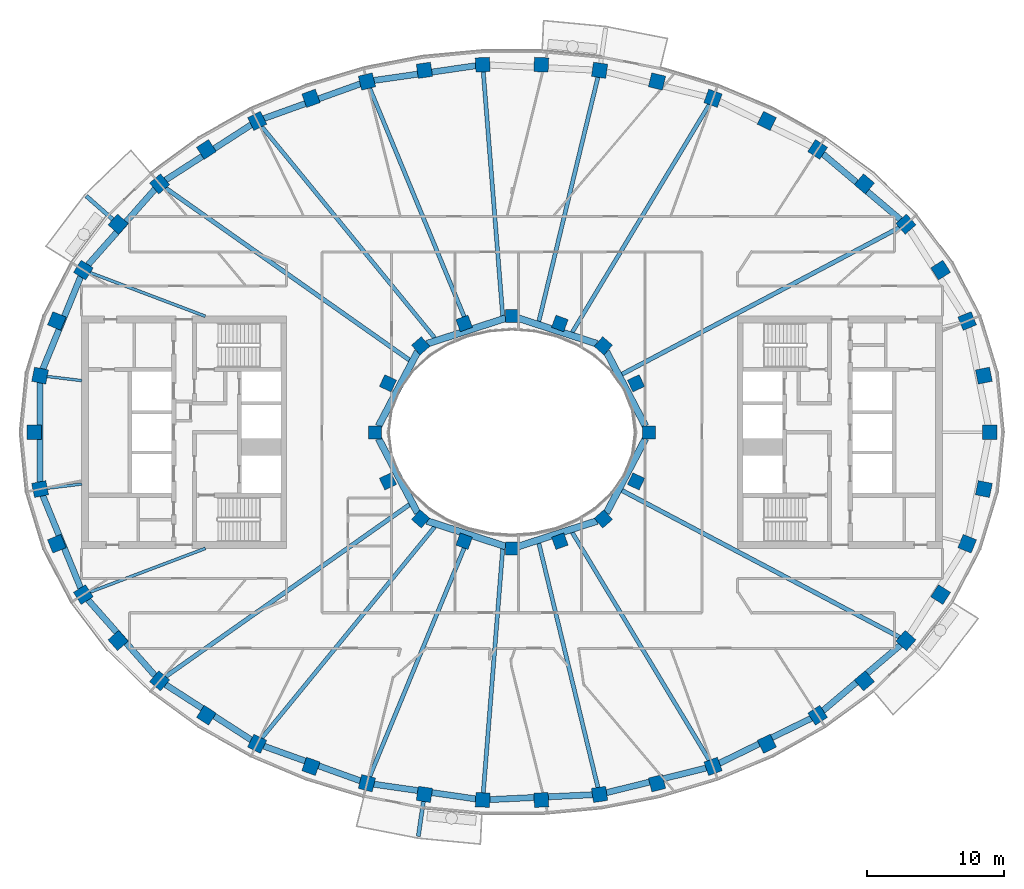
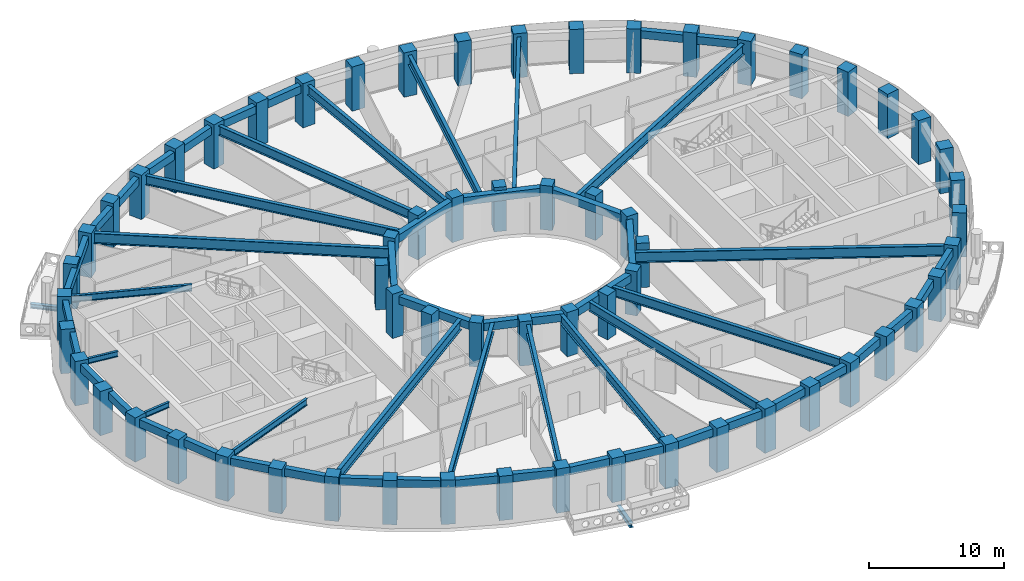
# One storey, part 1 of 16: 62 columns, 44 beams.
"""IFC4 building model written with IfcOpenShell, lengths in metres."""

from ifc_helpers import new_model, si_unit, direction, frame, origin, origin_2d, place, context, subcontext, project, spatial, rectangle, i_section, extrude, material, material_profile, profile_set, type_object, element, save


model = new_model("IFC4")

# Units and contexts
model_context = context("Model", 3, precision=1e-05, world=origin(), true_north=direction((0.0, 1.0)))
body_context = subcontext(model_context, "Body", "Model", "MODEL_VIEW")
ifc_project = project(units=[si_unit("LENGTHUNIT", "METRE"), si_unit("AREAUNIT", "SQUARE_METRE"), si_unit("VOLUMEUNIT", "CUBIC_METRE"), si_unit("PLANEANGLEUNIT", "RADIAN"), si_unit("MASSUNIT", "GRAM", prefix="KILO")], contexts=[model_context])

# Site, building, storey
site_placement = place(None, origin())
site = spatial("IfcSite", under=ifc_project, at=site_placement, CompositionType="ELEMENT")
building_placement = place(site_placement, origin())
building = spatial("IfcBuilding", under=site, at=building_placement, Name="Noorbagh Ring Tower", CompositionType="ELEMENT")
storey_placement = place(building_placement, frame((0.0, 0.0, 273.5)))
storey = spatial("IfcBuildingStorey", under=building, at=storey_placement, Name="L58", CompositionType="ELEMENT", Elevation=273.5)

# Columns
ifc_material_1 = material(Name="Concrete C50/60", Category="concrete")
ifc_material_profile_1 = material_profile(ifc_material_1, rectangle(XDim=1.050048828125, YDim=1.050048828125, at=origin_2d()), Name="RC1050x1050")
ifc_profile_set_1 = profile_set([ifc_material_profile_1], Name="Concrete C50/60")
column_type_1 = type_object("IfcColumnType", Name="STR-COL-RC1050x1050-C50-60", PredefinedType="COLUMN", material=ifc_profile_set_1)
for number, where, z_axis, x_axis, name in (
    (1, (34.944580078125, 0.0, 0.0), (0.0, 0.0, 1.0), (0.0, 1.0, 0.0), "L58/col/R1-01"),
    (2, (34.52685546875, 4.150634765625, 0.0), (0.0, 0.0, 1.0), (-0.19723040178, 0.9803571638, 0.0), "L58/col/R1-02"),
    (3, (33.30517578125, 8.1494140625, 0.0), (0.0, 0.0, 1.0), (-0.378989499959, 0.925400971969, 0.0), "L58/col/R1-03"),
    (4, (31.364990234375, 11.87109375, 0.0), (0.0, 0.0, 1.0), (-0.535190403059, 0.844731455833, 0.0), "L58/col/R1-04"),
    (5, (28.81884765625, 15.23046875, 0.0), (0.0, 0.0, 1.0), (-0.662635642662, 0.748941923699, 0.0), "L58/col/R1-05"),
    (6, (25.78271484375, 18.180419921875, 0.0), (0.0, 0.0, 1.0), (-0.763035199656, 0.646356932419, 0.0), "L58/col/R1-06"),
    (7, (22.362060546875, 20.699951171875, 0.0), (0.0, 0.0, 1.0), (-0.840247639643, 0.542202825586, 0.0), "L58/col/R1-07"),
    (8, (18.646240234375, 22.785400390625, 0.0), (0.0, 0.0, 1.0), (-0.898399080868, 0.439180021741, 0.0), "L58/col/R1-08"),
    (9, (14.70947265625, 24.44091796875, 0.0), (0.0, 0.0, 1.0), (-0.941024726094, 0.338337797003, 0.0), "L58/col/R1-09"),
    (10, (10.61328125, 25.673583984375, 0.0), (0.0, 0.0, 1.0), (-0.970829360981, 0.239771457553, 0.0), "L58/col/R1-10"),
    (11, (6.4091796875, 26.49072265625, 0.0), (0.0, 0.0, 1.0), (-0.989713114048, 0.143066249975, 0.0), "L58/col/R1-11"),
    (12, (2.14306640625, 26.89794921875, 0.0), (0.0, 0.0, 1.0), (-0.998868731212, 0.047552684538, 0.0), "L58/col/R1-12"),
    (13, (-2.14306640625, 26.89794921875, 0.0), (0.0, 0.0, 1.0), (-0.998868731212, -0.047552684538, 0.0), "L58/col/R1-13"),
    (14, (-6.4091796875, 26.49072265625, 0.0), (0.0, 0.0, 1.0), (-0.989713114048, -0.143066249975, 0.0), "L58/col/R1-14"),
    (15, (-10.61328125, 25.673583984375, 0.0), (0.0, 0.0, 1.0), (-0.970829360981, -0.239771457553, 0.0), "L58/col/R1-15"),
    (16, (-14.70947265625, 24.44091796875, 0.0), (0.0, 0.0, 1.0), (-0.941024726094, -0.338337797003, 0.0), "L58/col/R1-16"),
    (17, (-18.646240234375, 22.785400390625, 0.0), (0.0, 0.0, 1.0), (-0.898399080868, -0.439180021741, 0.0), "L58/col/R1-17"),
    (18, (-22.362060546875, 20.699951171875, 0.0), (0.0, 0.0, 1.0), (-0.840247639643, -0.542202825586, 0.0), "L58/col/R1-18"),
    (19, (-25.78271484375, 18.180419921875, 0.0), (0.0, 0.0, 1.0), (-0.763035199656, -0.646356932419, 0.0), "L58/col/R1-19"),
    (20, (-28.81884765625, 15.23046875, 0.0), (0.0, 0.0, 1.0), (-0.662635642662, -0.748941923699, 0.0), "L58/col/R1-20"),
    (21, (-31.364990234375, 11.87109375, 0.0), (0.0, 0.0, 1.0), (-0.535190403059, -0.844731455833, 0.0), "L58/col/R1-21"),
    (22, (-33.30517578125, 8.1494140625, 0.0), (0.0, 0.0, 1.0), (-0.378989499959, -0.925400971969, 0.0), "L58/col/R1-22"),
    (23, (-34.52685546875, 4.150634765625, 0.0), (0.0, 0.0, 1.0), (-0.19723040178, -0.9803571638, 0.0), "L58/col/R1-23"),
    (24, (-34.944580078125, 0.0, 0.0), (0.0, 0.0, 1.0), (0.0, -1.0, 0.0), "L58/col/R1-24"),
    (25, (-34.52685546875, -4.150634765625, 0.0), (0.0, 0.0, 1.0), (0.19723040178, -0.9803571638, 0.0), "L58/col/R1-25"),
    (26, (-33.30517578125, -8.1494140625, 0.0), (0.0, 0.0, 1.0), (0.378989499959, -0.925400971969, 0.0), "L58/col/R1-26"),
    (27, (-31.364990234375, -11.87109375, 0.0), (0.0, 0.0, 1.0), (0.535190403059, -0.844731455833, 0.0), "L58/col/R1-27"),
    (28, (-28.81884765625, -15.23046875, 0.0), (0.0, 0.0, 1.0), (0.662635642662, -0.748941923699, 0.0), "L58/col/R1-28"),
    (29, (-25.78271484375, -18.180419921875, 0.0), (0.0, 0.0, 1.0), (0.763035199656, -0.646356932419, 0.0), "L58/col/R1-29"),
    (30, (-22.362060546875, -20.699951171875, 0.0), (0.0, 0.0, 1.0), (0.840247639643, -0.542202825586, 0.0), "L58/col/R1-30"),
    (31, (-18.646240234375, -22.785400390625, 0.0), (0.0, 0.0, 1.0), (0.898399080868, -0.439180021741, 0.0), "L58/col/R1-31"),
    (32, (-14.70947265625, -24.44091796875, 0.0), (0.0, 0.0, 1.0), (0.941024726094, -0.338337797003, 0.0), "L58/col/R1-32"),
    (33, (-10.61328125, -25.673583984375, 0.0), (0.0, 0.0, 1.0), (0.970829360981, -0.239771457553, 0.0), "L58/col/R1-33"),
    (34, (-6.4091796875, -26.49072265625, 0.0), (0.0, 0.0, 1.0), (0.989713114048, -0.143066249975, 0.0), "L58/col/R1-34"),
    (35, (-2.14306640625, -26.89794921875, 0.0), (0.0, 0.0, 1.0), (0.998868731212, -0.047552684538, 0.0), "L58/col/R1-35"),
    (36, (2.14306640625, -26.89794921875, 0.0), (0.0, 0.0, 1.0), (0.998868731212, 0.047552684538, 0.0), "L58/col/R1-36"),
    (37, (6.4091796875, -26.49072265625, 0.0), (0.0, 0.0, 1.0), (0.989713114048, 0.143066249975, 0.0), "L58/col/R1-37"),
    (38, (10.61328125, -25.673583984375, 0.0), (0.0, 0.0, 1.0), (0.970829360981, 0.239771457553, 0.0), "L58/col/R1-38"),
    (39, (14.70947265625, -24.44091796875, 0.0), (0.0, 0.0, 1.0), (0.941024726094, 0.338337797003, 0.0), "L58/col/R1-39"),
    (40, (18.646240234375, -22.785400390625, 0.0), (0.0, 0.0, 1.0), (0.898399080868, 0.439180021741, 0.0), "L58/col/R1-40"),
    (41, (22.362060546875, -20.699951171875, 0.0), (0.0, 0.0, 1.0), (0.840247639643, 0.542202825586, 0.0), "L58/col/R1-41"),
    (42, (25.78271484375, -18.180419921875, 0.0), (0.0, 0.0, 1.0), (0.763035199656, 0.646356932419, 0.0), "L58/col/R1-42"),
    (43, (28.81884765625, -15.23046875, 0.0), (0.0, 0.0, 1.0), (0.662635642662, 0.748941923699, 0.0), "L58/col/R1-43"),
    (44, (31.364990234375, -11.87109375, 0.0), (0.0, 0.0, 1.0), (0.535190403059, 0.844731455833, 0.0), "L58/col/R1-44"),
    (45, (33.30517578125, -8.1494140625, 0.0), (0.0, 0.0, 1.0), (0.378989499959, 0.925400971969, 0.0), "L58/col/R1-45"),
    (46, (34.52685546875, -4.150634765625, 0.0), (0.0, 0.0, 1.0), (0.19723040178, 0.9803571638, 0.0), "L58/col/R1-46"),
):
    element("IfcColumn", number, at=place(storey_placement, frame(where, z_axis=z_axis, x_axis=x_axis)), inside=storey, type_object=column_type_1, Name=name, PredefinedType="COLUMN", context=body_context, shape_type="SweptSolid", body=[
        extrude(rectangle(XDim=1.050048828125, YDim=1.050048828125, at=origin_2d()), origin(), (0.0, 0.0, 1.0), 4.0),
    ])
ifc_material_2 = material(Name="Concrete C50/60", Category="concrete")
ifc_material_profile_2 = material_profile(ifc_material_2, rectangle(XDim=0.949951171875, YDim=0.949951171875, at=origin_2d()), Name="RC950x950")
ifc_profile_set_2 = profile_set([ifc_material_profile_2], Name="Concrete C50/60")
column_type_2 = type_object("IfcColumnType", Name="STR-ICOL-RC950x950-C50-60", PredefinedType="COLUMN", material=ifc_profile_set_2)
for number, where, z_axis, x_axis, name in (
    (47, (10.00830078125, 0.0, 0.0), (0.0, 0.0, 1.0), (0.0, 1.0, 0.0), "L58/col/IR2-W01"),
    (48, (9.07568359375, 3.58837890625, 0.0), (0.0, 0.0, 1.0), (-0.428666979171, 0.903462573087, 0.0), "L58/col/IR2-W03"),
    (49, (6.68212890625, 6.333740234375, 0.0), (0.0, 0.0, 1.0), (-0.75102249095, 0.660276622399, 0.0), "L58/col/IR2-W05"),
    (50, (3.5009765625, 7.967041015625, 0.0), (0.0, 0.0, 1.0), (-0.939019578916, 0.343863679984, 0.0), "L58/col/IR2-W07"),
    (51, (0.0, 8.5029296875, 0.0), (0.0, 0.0, 1.0), (-1.0, 0.0, 0.0), "L58/col/IR2-W09"),
    (52, (-3.5009765625, 7.967041015625, 0.0), (0.0, 0.0, 1.0), (-0.939019578916, -0.343863679984, 0.0), "L58/col/IR2-W11"),
    (53, (-6.68212890625, 6.333740234375, 0.0), (0.0, 0.0, 1.0), (-0.75102249095, -0.660276622399, 0.0), "L58/col/IR2-W13"),
    (54, (-9.07568359375, 3.58837890625, 0.0), (0.0, 0.0, 1.0), (-0.428666979171, -0.903462573087, 0.0), "L58/col/IR2-W15"),
    (55, (-10.00830078125, 0.0, 0.0), (0.0, 0.0, 1.0), (0.0, -1.0, 0.0), "L58/col/IR2-W17"),
    (56, (-9.07568359375, -3.58837890625, 0.0), (0.0, 0.0, 1.0), (0.428666979171, -0.903462573087, 0.0), "L58/col/IR2-W19"),
    (57, (-6.68212890625, -6.333740234375, 0.0), (0.0, 0.0, 1.0), (0.75102249095, -0.660276622399, 0.0), "L58/col/IR2-W21"),
    (58, (-3.5009765625, -7.967041015625, 0.0), (0.0, 0.0, 1.0), (0.939019578916, -0.343863679984, 0.0), "L58/col/IR2-W23"),
    (59, (0.0, -8.5029296875, 0.0), (0.0, 0.0, 1.0), (1.0, 0.0, 0.0), "L58/col/IR2-W25"),
    (60, (3.5009765625, -7.967041015625, 0.0), (0.0, 0.0, 1.0), (0.939019578916, 0.343863679984, 0.0), "L58/col/IR2-W27"),
    (61, (6.68212890625, -6.333740234375, 0.0), (0.0, 0.0, 1.0), (0.75102249095, 0.660276622399, 0.0), "L58/col/IR2-W29"),
    (62, (9.07568359375, -3.58837890625, 0.0), (0.0, 0.0, 1.0), (0.428666979171, 0.903462573087, 0.0), "L58/col/IR2-W31"),
):
    element("IfcColumn", number, at=place(storey_placement, frame(where, z_axis=z_axis, x_axis=x_axis)), inside=storey, type_object=column_type_2, Name=name, PredefinedType="COLUMN", context=body_context, shape_type="SweptSolid", body=[
        extrude(rectangle(XDim=0.949951171875, YDim=0.949951171875, at=origin_2d()), origin(), (0.0, 0.0, 1.0), 4.0),
    ])

# Beams
ifc_material_3 = material(Name="Steel S355", Category="steel")
ifc_material_profile_3 = material_profile(ifc_material_3, i_section(OverallWidth=0.300048828125, OverallDepth=0.39990234375, WebThickness=0.013427734375, FlangeThickness=0.02392578125, FilletRadius=0.027099609375, at=origin_2d()), Name="HEB400")
ifc_profile_set_3 = profile_set([ifc_material_profile_3], Name="Steel S355")
beam_type_1 = type_object("IfcBeamType", Name="STR-BALCONY-BRACKET-HEB400", PredefinedType="BEAM", material=ifc_profile_set_3)
beam_1_placement = place(storey_placement, frame((-29.197021484375, 15.565185546875, -0.5), z_axis=(-0.749087807423, 0.662470721444, 0.0), x_axis=(-0.662470721444, -0.749087807423, 0.0)))
element("IfcBeam", 63, at=beam_1_placement, inside=storey, type_object=beam_type_1, Name="Balcony bracket beam BN06", PredefinedType="BEAM", context=body_context, shape_type="SweptSolid", body=[
    extrude(i_section(OverallWidth=0.300048828125, OverallDepth=0.39990234375, WebThickness=0.013427734375, FlangeThickness=0.02392578125, FilletRadius=0.027099609375, at=origin_2d()), origin(), (0.0, 0.0, 1.0), 2.6044921875),
])
beam_2_placement = place(storey_placement, frame((-6.4814453125, -26.99072265625, -0.5), z_axis=(-0.143078349205, -0.989711364989, 0.0), x_axis=(0.989711364989, -0.143078349205, 0.0)))
element("IfcBeam", 64, at=beam_2_placement, inside=storey, type_object=beam_type_1, Name="Balcony bracket beam BS03", PredefinedType="BEAM", context=body_context, shape_type="SweptSolid", body=[
    extrude(i_section(OverallWidth=0.300048828125, OverallDepth=0.39990234375, WebThickness=0.013427734375, FlangeThickness=0.02392578125, FilletRadius=0.027099609375, at=origin_2d()), origin(), (0.0, 0.0, 1.0), 2.598876953125),
])
ifc_material_4 = material(Name="Steel S355", Category="steel")
ifc_material_profile_4 = material_profile(ifc_material_4, i_section(OverallWidth=0.199951171875, OverallDepth=0.5, WebThickness=0.01025390625, FlangeThickness=0.01611328125, FilletRadius=0.02099609375, at=origin_2d()), Name="IPE500")
ifc_profile_set_4 = profile_set([ifc_material_profile_4], Name="Steel S355")
beam_type_2 = type_object("IfcBeamType", Name="STR-RAD-IPE500", PredefinedType="BEAM", material=ifc_profile_set_4)
for number, where, z_axis, x_axis, name in (
    (65, (-34.023681640625, 4.090087890625, 3.449951171875), (0.992856079473, -0.119318085189, 0.0), (0.119318085189, 0.992856079473, 0.0), "L58/bm/RD23"),
    (66, (-34.023681640625, -4.090087890625, 3.449951171875), (0.992856079473, 0.119318085189, 0.0), (-0.119318085189, 0.992856079473, 0.0), "L58/bm/RD25"),
):
    element("IfcBeam", number, at=place(storey_placement, frame(where, z_axis=z_axis, x_axis=x_axis)), inside=storey, type_object=beam_type_2, Name=name, PredefinedType="BEAM", context=body_context, shape_type="SweptSolid", body=[
        extrude(i_section(OverallWidth=0.199951171875, OverallDepth=0.5, WebThickness=0.01025390625, FlangeThickness=0.01611328125, FilletRadius=0.02099609375, at=origin_2d()), origin(), (0.0, 0.0, 1.0), 2.561767578125),
    ])
ifc_material_5 = material(Name="Steel S355", Category="steel")
ifc_material_profile_5 = material_profile(ifc_material_5, i_section(OverallWidth=0.219970703125, OverallDepth=0.60009765625, WebThickness=0.011962890625, FlangeThickness=0.01904296875, FilletRadius=0.02392578125, at=origin_2d()), Name="IPE600")
ifc_profile_set_5 = profile_set([ifc_material_profile_5], Name="Steel S355")
beam_type_3 = type_object("IfcBeamType", Name="STR-RAD-IPE600", PredefinedType="BEAM", material=ifc_profile_set_5)
for number, where, z_axis, x_axis, name in (
    (67, (-30.88232421875, 11.688232421875, 3.39990234375), (0.93525673757, -0.353970104431, 0.0), (0.353970104431, 0.93525673757, 0.0), "L58/bm/RD21"),
    (68, (-30.88232421875, -11.688232421875, 3.39990234375), (0.93525673757, 0.353970104431, 0.0), (-0.353970104431, 0.93525673757, 0.0), "L58/bm/RD27"),
):
    element("IfcBeam", number, at=place(storey_placement, frame(where, z_axis=z_axis, x_axis=x_axis)), inside=storey, type_object=beam_type_3, Name=name, PredefinedType="BEAM", context=body_context, shape_type="SweptSolid", body=[
        extrude(i_section(OverallWidth=0.219970703125, OverallDepth=0.60009765625, WebThickness=0.011962890625, FlangeThickness=0.01904296875, FilletRadius=0.02392578125, at=origin_2d()), origin(), (0.0, 0.0, 1.0), 9.027099609375),
    ])
ifc_material_6 = material(Name="Steel S355", Category="steel")
ifc_material_profile_6 = material_profile(ifc_material_6, i_section(OverallWidth=0.300048828125, OverallDepth=0.85009765625, WebThickness=0.013916015625, FlangeThickness=0.028076171875, at=origin_2d()), Name="PG850x300x14x28")
ifc_profile_set_6 = profile_set([ifc_material_profile_6], Name="Steel S355")
beam_type_4 = type_object("IfcBeamType", Name="STR-RAD-PG850x300x14x28", PredefinedType="BEAM", material=ifc_profile_set_6)
beam_3_placement = place(storey_placement, frame((14.44384765625, 23.999267578125, 3.27490234375), z_axis=(-0.515656906989, -0.856795164712, 0.0), x_axis=(0.856795164712, -0.515656906989, 0.0)))
element("IfcBeam", 69, at=beam_3_placement, inside=storey, type_object=beam_type_4, Name="L58/bm/RD09", PredefinedType="BEAM", context=body_context, shape_type="SweptSolid", body=[
    extrude(i_section(OverallWidth=0.300048828125, OverallDepth=0.85009765625, WebThickness=0.013916015625, FlangeThickness=0.028076171875, at=origin_2d()), origin(), (0.0, 0.0, 1.0), 19.471923828125),
])
beam_4_placement = place(storey_placement, frame((6.2900390625, 25.997802734375, 3.27490234375), z_axis=(-0.23516000693, -0.971956671432, 0.0), x_axis=(0.971956671432, -0.23516000693, 0.0)))
element("IfcBeam", 70, at=beam_4_placement, inside=storey, type_object=beam_type_4, Name="L58/bm/RD11", PredefinedType="BEAM", context=body_context, shape_type="SweptSolid", body=[
    extrude(i_section(OverallWidth=0.300048828125, OverallDepth=0.85009765625, WebThickness=0.013916015625, FlangeThickness=0.028076171875, at=origin_2d()), origin(), (0.0, 0.0, 1.0), 18.406005859375),
])
beam_5_placement = place(storey_placement, frame((-2.10302734375, 26.394287109375, 3.27490234375), z_axis=(0.079426932636, -0.996840690568, 0.0), x_axis=(0.996840690568, 0.079426932636, 0.0)))
element("IfcBeam", 71, at=beam_5_placement, inside=storey, type_object=beam_type_4, Name="L58/bm/RD13", PredefinedType="BEAM", context=body_context, shape_type="SweptSolid", body=[
    extrude(i_section(OverallWidth=0.300048828125, OverallDepth=0.85009765625, WebThickness=0.013916015625, FlangeThickness=0.028076171875, at=origin_2d()), origin(), (0.0, 0.0, 1.0), 17.92626953125),
])
beam_6_placement = place(storey_placement, frame((-10.41796875, 25.201416015625, 3.27490234375), z_axis=(0.382034660206, -0.924147995941, 0.0), x_axis=(0.924147995941, 0.382034660206, 0.0)))
element("IfcBeam", 72, at=beam_6_placement, inside=storey, type_object=beam_type_4, Name="L58/bm/RD15", PredefinedType="BEAM", context=body_context, shape_type="SweptSolid", body=[
    extrude(i_section(OverallWidth=0.300048828125, OverallDepth=0.85009765625, WebThickness=0.013916015625, FlangeThickness=0.028076171875, at=origin_2d()), origin(), (0.0, 0.0, 1.0), 18.9267578125),
])
for number, where, z_axis, x_axis, name in (
    (73, (-18.3173828125, 22.383544921875, 3.27490234375), (0.633312925982, -0.77389581843, 0.0), (0.77389581843, 0.633312925982, 0.0), "L58/bm/RD17"),
    (74, (-18.3173828125, -22.383544921875, 3.27490234375), (0.633312925982, 0.77389581843, 0.0), (-0.77389581843, 0.633312925982, 0.0), "L58/bm/RD31"),
):
    element("IfcBeam", number, at=place(storey_placement, frame(where, z_axis=z_axis, x_axis=x_axis)), inside=storey, type_object=beam_type_4, Name=name, PredefinedType="BEAM", context=body_context, shape_type="SweptSolid", body=[
        extrude(i_section(OverallWidth=0.300048828125, OverallDepth=0.85009765625, WebThickness=0.013916015625, FlangeThickness=0.028076171875, at=origin_2d()), origin(), (0.0, 0.0, 1.0), 19.993896484375),
    ])
beam_7_placement = place(storey_placement, frame((-10.41796875, -25.201416015625, 3.27490234375), z_axis=(0.382034660206, 0.924147995941, 0.0), x_axis=(-0.924147995941, 0.382034660206, 0.0)))
element("IfcBeam", 75, at=beam_7_placement, inside=storey, type_object=beam_type_4, Name="L58/bm/RD33", PredefinedType="BEAM", context=body_context, shape_type="SweptSolid", body=[
    extrude(i_section(OverallWidth=0.300048828125, OverallDepth=0.85009765625, WebThickness=0.013916015625, FlangeThickness=0.028076171875, at=origin_2d()), origin(), (0.0, 0.0, 1.0), 18.9267578125),
])
beam_8_placement = place(storey_placement, frame((-2.10302734375, -26.394287109375, 3.27490234375), z_axis=(0.079426932636, 0.996840690568, 0.0), x_axis=(-0.996840690568, 0.079426932636, 0.0)))
element("IfcBeam", 76, at=beam_8_placement, inside=storey, type_object=beam_type_4, Name="L58/bm/RD35", PredefinedType="BEAM", context=body_context, shape_type="SweptSolid", body=[
    extrude(i_section(OverallWidth=0.300048828125, OverallDepth=0.85009765625, WebThickness=0.013916015625, FlangeThickness=0.028076171875, at=origin_2d()), origin(), (0.0, 0.0, 1.0), 17.92626953125),
])
beam_9_placement = place(storey_placement, frame((6.2900390625, -25.997802734375, 3.27490234375), z_axis=(-0.23516000693, 0.971956671432, 0.0), x_axis=(-0.971956671432, -0.23516000693, 0.0)))
element("IfcBeam", 77, at=beam_9_placement, inside=storey, type_object=beam_type_4, Name="L58/bm/RD37", PredefinedType="BEAM", context=body_context, shape_type="SweptSolid", body=[
    extrude(i_section(OverallWidth=0.300048828125, OverallDepth=0.85009765625, WebThickness=0.013916015625, FlangeThickness=0.028076171875, at=origin_2d()), origin(), (0.0, 0.0, 1.0), 18.406005859375),
])
beam_10_placement = place(storey_placement, frame((14.44384765625, -23.999267578125, 3.27490234375), z_axis=(-0.515656906989, 0.856795164712, 0.0), x_axis=(-0.856795164712, -0.515656906989, 0.0)))
element("IfcBeam", 78, at=beam_10_placement, inside=storey, type_object=beam_type_4, Name="L58/bm/RD39", PredefinedType="BEAM", context=body_context, shape_type="SweptSolid", body=[
    extrude(i_section(OverallWidth=0.300048828125, OverallDepth=0.85009765625, WebThickness=0.013916015625, FlangeThickness=0.028076171875, at=origin_2d()), origin(), (0.0, 0.0, 1.0), 19.471923828125),
])
ifc_material_7 = material(Name="Steel S355", Category="steel")
ifc_material_profile_7 = material_profile(ifc_material_7, i_section(OverallWidth=0.320068359375, OverallDepth=0.949951171875, WebThickness=0.01611328125, FlangeThickness=0.030029296875, at=origin_2d()), Name="PG950x320x16x30")
ifc_profile_set_7 = profile_set([ifc_material_profile_7], Name="Steel S355")
beam_type_5 = type_object("IfcBeamType", Name="STR-RAD-PG950x320x16x30", PredefinedType="BEAM", material=ifc_profile_set_7)
beam_11_placement = place(storey_placement, frame((28.35888671875, 14.9873046875, 3.22509765625), z_axis=(-0.884128728226, -0.467243396878, 0.0), x_axis=(0.467243396878, -0.884128728226, 0.0)))
element("IfcBeam", 79, at=beam_11_placement, inside=storey, type_object=beam_type_5, Name="L58/bm/RD05", PredefinedType="BEAM", context=body_context, shape_type="SweptSolid", body=[
    extrude(i_section(OverallWidth=0.320068359375, OverallDepth=0.949951171875, WebThickness=0.01611328125, FlangeThickness=0.030029296875, at=origin_2d()), origin(), (0.0, 0.0, 1.0), 22.98486328125),
])
for number, where, z_axis, x_axis, name in (
    (80, (-25.355712890625, 17.87939453125, 3.22509765625), (0.817252873121, -0.57627922171, 0.0), (0.57627922171, 0.817252873121, 0.0), "L58/bm/RD19"),
    (81, (-25.355712890625, -17.87939453125, 3.22509765625), (0.817252873121, 0.57627922171, 0.0), (-0.57627922171, 0.817252873121, 0.0), "L58/bm/RD29"),
):
    element("IfcBeam", number, at=place(storey_placement, frame(where, z_axis=z_axis, x_axis=x_axis)), inside=storey, type_object=beam_type_5, Name=name, PredefinedType="BEAM", context=body_context, shape_type="SweptSolid", body=[
        extrude(i_section(OverallWidth=0.320068359375, OverallDepth=0.949951171875, WebThickness=0.01611328125, FlangeThickness=0.030029296875, at=origin_2d()), origin(), (0.0, 0.0, 1.0), 21.8564453125),
    ])
beam_12_placement = place(storey_placement, frame((28.35888671875, -14.9873046875, 3.22509765625), z_axis=(-0.884128728226, 0.467243396878, 0.0), x_axis=(-0.467243396878, -0.884128728226, 0.0)))
element("IfcBeam", 82, at=beam_12_placement, inside=storey, type_object=beam_type_5, Name="L58/bm/RD43", PredefinedType="BEAM", context=body_context, shape_type="SweptSolid", body=[
    extrude(i_section(OverallWidth=0.320068359375, OverallDepth=0.949951171875, WebThickness=0.01611328125, FlangeThickness=0.030029296875, at=origin_2d()), origin(), (0.0, 0.0, 1.0), 22.98486328125),
])
ifc_material_8 = material(Name="Concrete C40/50", Category="concrete")
ifc_material_profile_8 = material_profile(ifc_material_8, rectangle(XDim=0.5, YDim=0.699951171875, at=origin_2d()), Name="RC500x700")
ifc_profile_set_8 = profile_set([ifc_material_profile_8], Name="Concrete C40/50")
beam_type_6 = type_object("IfcBeamType", Name="STR-RB-RC500x700-C40-50", PredefinedType="BEAM", material=ifc_profile_set_8)
beam_13_placement = place(storey_placement, frame((9.768310546875, 0.457275390625, 3.35009765625), z_axis=(-0.464944392106, 0.885339885157, 0.0), x_axis=(-0.885339885157, -0.464944392106, 0.0)))
element("IfcBeam", 83, at=beam_13_placement, inside=storey, type_object=beam_type_6, Name="L58/bm/RG01", PredefinedType="BEAM", context=body_context, shape_type="SweptSolid", body=[
    extrude(rectangle(XDim=0.5, YDim=0.699951171875, at=origin_2d()), origin(), (0.0, 0.0, 1.0), 6.14892578125),
])
for number, where, z_axis, x_axis, name in (
    (84, (6.209228515625, 6.4873046875, 3.35009765625), (-0.951148201425, 0.308734673995, 0.0), (-0.308734673995, -0.951148201425, 0.0), "L58/bm/RG03"),
    (85, (-0.4560546875, 8.354736328125, 3.35009765625), (-0.951148201425, -0.308734673995, 0.0), (0.308734673995, -0.951148201425, 0.0), "L58/bm/RG05"),
):
    element("IfcBeam", number, at=place(storey_placement, frame(where, z_axis=z_axis, x_axis=x_axis)), inside=storey, type_object=beam_type_6, Name=name, PredefinedType="BEAM", context=body_context, shape_type="SweptSolid", body=[
        extrude(rectangle(XDim=0.5, YDim=0.699951171875, at=origin_2d()), origin(), (0.0, 0.0, 1.0), 6.048583984375),
    ])
for number, where, z_axis, x_axis, name in (
    (86, (-6.909423828125, 5.901123046875, 3.35009765625), (-0.464944392106, -0.885339885157, 0.0), (0.885339885157, -0.464944392106, 0.0), "L58/bm/RG07"),
    (87, (-9.768310546875, -0.457275390625, 3.35009765625), (0.464944392106, -0.885339885157, 0.0), (0.885339885157, 0.464944392106, 0.0), "L58/bm/RG09"),
):
    element("IfcBeam", number, at=place(storey_placement, frame(where, z_axis=z_axis, x_axis=x_axis)), inside=storey, type_object=beam_type_6, Name=name, PredefinedType="BEAM", context=body_context, shape_type="SweptSolid", body=[
        extrude(rectangle(XDim=0.5, YDim=0.699951171875, at=origin_2d()), origin(), (0.0, 0.0, 1.0), 6.14892578125),
    ])
for number, where, z_axis, x_axis, name in (
    (88, (-6.209228515625, -6.4873046875, 3.35009765625), (0.951148201425, -0.308734673995, 0.0), (0.308734673995, 0.951148201425, 0.0), "L58/bm/RG11"),
    (89, (0.4560546875, -8.354736328125, 3.35009765625), (0.951148201425, 0.308734673995, 0.0), (-0.308734673995, 0.951148201425, 0.0), "L58/bm/RG13"),
):
    element("IfcBeam", number, at=place(storey_placement, frame(where, z_axis=z_axis, x_axis=x_axis)), inside=storey, type_object=beam_type_6, Name=name, PredefinedType="BEAM", context=body_context, shape_type="SweptSolid", body=[
        extrude(rectangle(XDim=0.5, YDim=0.699951171875, at=origin_2d()), origin(), (0.0, 0.0, 1.0), 6.048583984375),
    ])
beam_14_placement = place(storey_placement, frame((6.909423828125, -5.901123046875, 3.35009765625), z_axis=(0.464944392106, 0.885339885157, 0.0), x_axis=(-0.885339885157, 0.464944392106, 0.0)))
element("IfcBeam", 90, at=beam_14_placement, inside=storey, type_object=beam_type_6, Name="L58/bm/RG15", PredefinedType="BEAM", context=body_context, shape_type="SweptSolid", body=[
    extrude(rectangle(XDim=0.5, YDim=0.699951171875, at=origin_2d()), origin(), (0.0, 0.0, 1.0), 6.14892578125),
])
ifc_material_9 = material(Name="Concrete C40/50", Category="concrete")
ifc_material_profile_9 = material_profile(ifc_material_9, rectangle(XDim=0.449951171875, YDim=0.699951171875, at=origin_2d()), Name="RC450x700")
ifc_profile_set_9 = profile_set([ifc_material_profile_9], Name="Concrete C40/50")
beam_type_7 = type_object("IfcBeamType", Name="STR-SB-RC450x700-C40-50", PredefinedType="BEAM", material=ifc_profile_set_9)
beam_15_placement = place(storey_placement, frame((28.42919921875, 15.560546875, 3.35009765625), z_axis=(-0.76304148439, 0.646349513111, 0.0), x_axis=(-0.646349513111, -0.76304148439, 0.0)))
element("IfcBeam", 91, at=beam_15_placement, inside=storey, type_object=beam_type_7, Name="L58/bm/SP05", PredefinedType="BEAM", context=body_context, shape_type="SweptSolid", body=[
    extrude(rectangle(XDim=0.449951171875, YDim=0.699951171875, at=origin_2d()), origin(), (0.0, 0.0, 1.0), 7.44189453125),
])
beam_16_placement = place(storey_placement, frame((-2.6455078125, 26.825439453125, 3.35009765625), z_axis=(-0.989713798568, -0.143061514477, 0.0), x_axis=(0.143061514477, -0.989713798568, 0.0)))
element("IfcBeam", 92, at=beam_16_placement, inside=storey, type_object=beam_type_7, Name="L58/bm/SP13", PredefinedType="BEAM", context=body_context, shape_type="SweptSolid", body=[
    extrude(rectangle(XDim=0.449951171875, YDim=0.699951171875, at=origin_2d()), origin(), (0.0, 0.0, 1.0), 7.54296875),
])
beam_17_placement = place(storey_placement, frame((-11.091064453125, 25.501708984375, 3.35009765625), z_axis=(-0.941025143763, -0.33833663533, 0.0), x_axis=(0.33833663533, -0.941025143763, 0.0)))
element("IfcBeam", 93, at=beam_17_placement, inside=storey, type_object=beam_type_7, Name="L58/bm/SP15", PredefinedType="BEAM", context=body_context, shape_type="SweptSolid", body=[
    extrude(rectangle(XDim=0.449951171875, YDim=0.699951171875, at=origin_2d()), origin(), (0.0, 0.0, 1.0), 7.5205078125),
])
beam_18_placement = place(storey_placement, frame((-19.07373046875, 22.509521484375, 3.35009765625), z_axis=(-0.840252970371, -0.542194564509, 0.0), x_axis=(0.542194564509, -0.840252970371, 0.0)))
element("IfcBeam", 94, at=beam_18_placement, inside=storey, type_object=beam_type_7, Name="L58/bm/SP17", PredefinedType="BEAM", context=body_context, shape_type="SweptSolid", body=[
    extrude(rectangle(XDim=0.449951171875, YDim=0.699951171875, at=origin_2d()), origin(), (0.0, 0.0, 1.0), 7.47509765625),
])
beam_19_placement = place(storey_placement, frame((-26.12109375, 17.798095703125, 3.35009765625), z_axis=(-0.662613733697, -0.748961307356, 0.0), x_axis=(0.748961307356, -0.662613733697, 0.0)))
element("IfcBeam", 95, at=beam_19_placement, inside=storey, type_object=beam_type_7, Name="L58/bm/SP19", PredefinedType="BEAM", context=body_context, shape_type="SweptSolid", body=[
    extrude(rectangle(XDim=0.449951171875, YDim=0.699951171875, at=origin_2d()), origin(), (0.0, 0.0, 1.0), 7.402099609375),
])
beam_20_placement = place(storey_placement, frame((-31.5595703125, 11.39599609375, 3.35009765625), z_axis=(-0.378991512565, -0.925400147722, 0.0), x_axis=(0.925400147722, -0.378991512565, 0.0)))
element("IfcBeam", 96, at=beam_20_placement, inside=storey, type_object=beam_type_7, Name="L58/bm/SP21", PredefinedType="BEAM", context=body_context, shape_type="SweptSolid", body=[
    extrude(rectangle(XDim=0.449951171875, YDim=0.699951171875, at=origin_2d()), origin(), (0.0, 0.0, 1.0), 7.314697265625),
])
beam_21_placement = place(storey_placement, frame((-34.52685546875, 3.63525390625, 3.35009765625), z_axis=(0.0, -1.0, 0.0), x_axis=(1.0, 0.0, 0.0)))
element("IfcBeam", 97, at=beam_21_placement, inside=storey, type_object=beam_type_7, Name="L58/bm/SP23", PredefinedType="BEAM", context=body_context, shape_type="SweptSolid", body=[
    extrude(rectangle(XDim=0.449951171875, YDim=0.699951171875, at=origin_2d()), origin(), (0.0, 0.0, 1.0), 7.2705078125),
])
beam_22_placement = place(storey_placement, frame((-34.331787109375, -4.626953125, 3.35009765625), z_axis=(0.378991512565, -0.925400147722, 0.0), x_axis=(0.925400147722, 0.378991512565, 0.0)))
element("IfcBeam", 98, at=beam_22_placement, inside=storey, type_object=beam_type_7, Name="L58/bm/SP25", PredefinedType="BEAM", context=body_context, shape_type="SweptSolid", body=[
    extrude(rectangle(XDim=0.449951171875, YDim=0.699951171875, at=origin_2d()), origin(), (0.0, 0.0, 1.0), 7.314697265625),
])
beam_23_placement = place(storey_placement, frame((-31.02587890625, -12.254150390625, 3.35009765625), z_axis=(0.662613733697, -0.748961307356, 0.0), x_axis=(0.748961307356, 0.662613733697, 0.0)))
element("IfcBeam", 99, at=beam_23_placement, inside=storey, type_object=beam_type_7, Name="L58/bm/SP27", PredefinedType="BEAM", context=body_context, shape_type="SweptSolid", body=[
    extrude(rectangle(XDim=0.449951171875, YDim=0.699951171875, at=origin_2d()), origin(), (0.0, 0.0, 1.0), 7.402099609375),
])
beam_24_placement = place(storey_placement, frame((-25.354736328125, -18.45654296875, 3.35009765625), z_axis=(0.840252970371, -0.542194564509, 0.0), x_axis=(0.542194564509, 0.840252970371, 0.0)))
element("IfcBeam", 100, at=beam_24_placement, inside=storey, type_object=beam_type_7, Name="L58/bm/SP29", PredefinedType="BEAM", context=body_context, shape_type="SweptSolid", body=[
    extrude(rectangle(XDim=0.449951171875, YDim=0.699951171875, at=origin_2d()), origin(), (0.0, 0.0, 1.0), 7.47509765625),
])
beam_25_placement = place(storey_placement, frame((-18.16796875, -22.957275390625, 3.35009765625), z_axis=(0.941025143763, -0.33833663533, 0.0), x_axis=(0.33833663533, 0.941025143763, 0.0)))
element("IfcBeam", 101, at=beam_25_placement, inside=storey, type_object=beam_type_7, Name="L58/bm/SP31", PredefinedType="BEAM", context=body_context, shape_type="SweptSolid", body=[
    extrude(rectangle(XDim=0.449951171875, YDim=0.699951171875, at=origin_2d()), origin(), (0.0, 0.0, 1.0), 7.5205078125),
])
beam_26_placement = place(storey_placement, frame((-10.11083984375, -25.746337890625, 3.35009765625), z_axis=(0.989713798568, -0.143061514477, 0.0), x_axis=(0.143061514477, 0.989713798568, 0.0)))
element("IfcBeam", 102, at=beam_26_placement, inside=storey, type_object=beam_type_7, Name="L58/bm/SP33", PredefinedType="BEAM", context=body_context, shape_type="SweptSolid", body=[
    extrude(rectangle(XDim=0.449951171875, YDim=0.699951171875, at=origin_2d()), origin(), (0.0, 0.0, 1.0), 7.54296875),
])
beam_27_placement = place(storey_placement, frame((-1.636474609375, -26.873779296875, 3.35009765625), z_axis=(0.998868796295, 0.047551317418, 0.0), x_axis=(-0.047551317418, 0.998868796295, 0.0)))
element("IfcBeam", 103, at=beam_27_placement, inside=storey, type_object=beam_type_7, Name="L58/bm/SP35", PredefinedType="BEAM", context=body_context, shape_type="SweptSolid", body=[
    extrude(rectangle(XDim=0.449951171875, YDim=0.699951171875, at=origin_2d()), origin(), (0.0, 0.0, 1.0), 7.54736328125),
])
beam_28_placement = place(storey_placement, frame((6.902099609375, -26.369140625, 3.35009765625), z_axis=(0.970832363292, 0.239759300935, 0.0), x_axis=(-0.239759300935, 0.970832363292, 0.0)))
element("IfcBeam", 104, at=beam_28_placement, inside=storey, type_object=beam_type_7, Name="L58/bm/SP37", PredefinedType="BEAM", context=body_context, shape_type="SweptSolid", body=[
    extrude(rectangle(XDim=0.449951171875, YDim=0.699951171875, at=origin_2d()), origin(), (0.0, 0.0, 1.0), 7.5341796875),
])
beam_29_placement = place(storey_placement, frame((15.166015625, -24.2177734375, 3.35009765625), z_axis=(0.898394634575, 0.439189117087, 0.0), x_axis=(-0.439189117087, 0.898394634575, 0.0)))
element("IfcBeam", 105, at=beam_29_placement, inside=storey, type_object=beam_type_7, Name="L58/bm/SP39", PredefinedType="BEAM", context=body_context, shape_type="SweptSolid", body=[
    extrude(rectangle(XDim=0.449951171875, YDim=0.699951171875, at=origin_2d()), origin(), (0.0, 0.0, 1.0), 7.501220703125),
])
beam_30_placement = place(storey_placement, frame((22.750732421875, -20.37060546875, 3.35009765625), z_axis=(0.76304148439, 0.646349513111, 0.0), x_axis=(-0.646349513111, 0.76304148439, 0.0)))
element("IfcBeam", 106, at=beam_30_placement, inside=storey, type_object=beam_type_7, Name="L58/bm/SP41", PredefinedType="BEAM", context=body_context, shape_type="SweptSolid", body=[
    extrude(rectangle(XDim=0.449951171875, YDim=0.699951171875, at=origin_2d()), origin(), (0.0, 0.0, 1.0), 7.44189453125),
])

save(model, "model.ifc")
